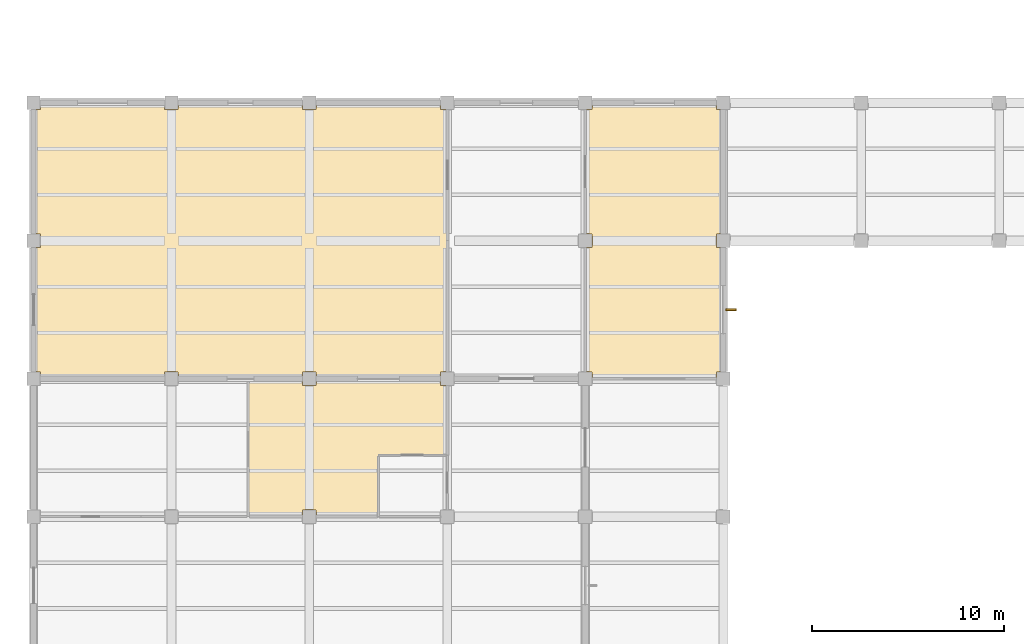
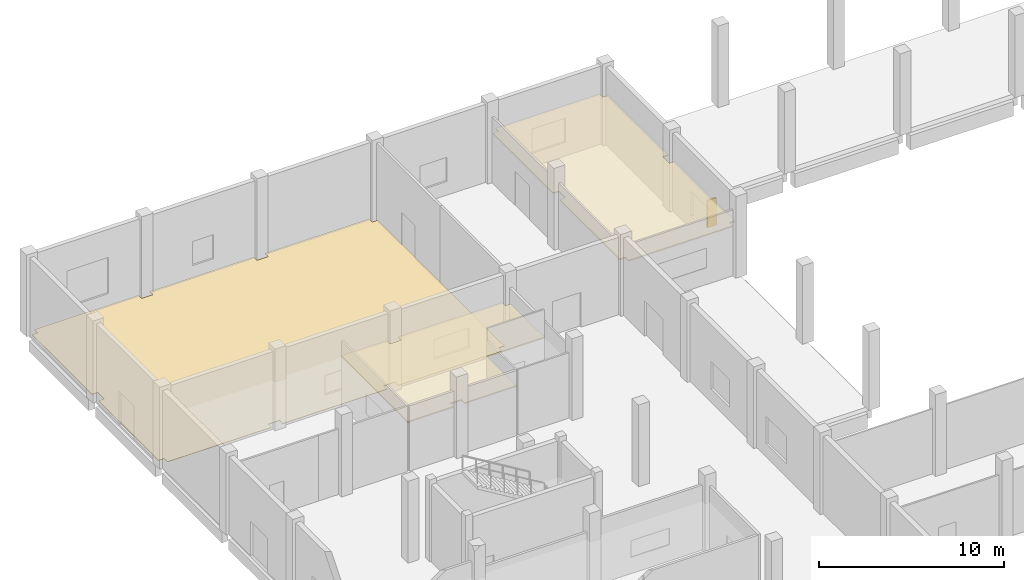
# One storey, part 35 of 46: 3 coverings, 1 shading device.
"""IFC4 building model written with IfcOpenShell, lengths in metres."""

import ifcopenshell
import ifcopenshell.guid

model = None  # the IFC model being written
_history = None  # IfcOwnerHistory: only IFC2X3 demands one
_inside = {}  # id of a spatial element -> (the spatial element, [elements in it])
_under = {}  # id of a project, library or spatial element -> (it, [spatial elements below it])
_declared = {}  # id of a project -> (the project, [libraries it declares])
_typed = {}  # id of a type object -> (the type object, [elements of that type])
_made_of = {}  # id of a material, layer set ... -> (it, [elements and type objects made of it])


def new_model(schema):
    """Start an empty IFC model of exactly this schema.

    Asked for "IFC4X3", IfcOpenShell would pick the latest addendum, in which some entities
    have other attributes; the version numbers below select the first issue.
    IFC2X3 requires an IfcOwnerHistory on every rooted entity: one is made here for all.
    """
    global model, _history
    if schema == "IFC4X3":
        model = ifcopenshell.file(schema_version=(4, 3, 0, 0))
    else:
        model = ifcopenshell.file(schema=schema)
    _inside.clear()
    _under.clear()
    _declared.clear()
    _typed.clear()
    _made_of.clear()
    _history = None
    if model.schema == "IFC2X3":
        org = make("IfcOrganization", Name="unknown")
        user = make(
            "IfcPersonAndOrganization",
            ThePerson=make("IfcPerson", FamilyName="unknown"),
            TheOrganization=org,
        )
        app = make(
            "IfcApplication",
            ApplicationDeveloper=org,
            Version="unknown",
            ApplicationFullName="unknown",
            ApplicationIdentifier="unknown",
        )
        _history = make(
            "IfcOwnerHistory",
            OwningUser=user,
            OwningApplication=app,
            ChangeAction="ADDED",
            CreationDate=0,
        )
    return model


def make(cls, **values):
    """One entity of the class cls with the attributes given. An attribute that is None is left unset."""
    return model.create_entity(
        cls, **{name: value for name, value in values.items() if value is not None}
    )


def rooted(cls, **values):
    """An entity with a GlobalId (a new one), such as an element, a storey or a relation."""
    return make(cls, GlobalId=ifcopenshell.guid.new(), OwnerHistory=_history, **values)


def si_unit(unit_type, name, prefix=None):
    """IfcSIUnit, for example si_unit("LENGTHUNIT", "METRE", prefix="MILLI")."""
    return make("IfcSIUnit", UnitType=unit_type, Prefix=prefix, Name=name)


def assignment(units):
    """IfcUnitAssignment: the units of a project."""
    return None if units is None else make("IfcUnitAssignment", Units=units)


def point(xyz):
    """IfcCartesianPoint."""
    return None if xyz is None else make("IfcCartesianPoint", Coordinates=xyz)


def direction(xyz):
    """IfcDirection."""
    return None if xyz is None else make("IfcDirection", DirectionRatios=xyz)


def frame(location, z_axis=None, x_axis=None):
    """IfcAxis2Placement3D, a coordinate frame: its origin and axes. An axis left out is left unset."""
    return make(
        "IfcAxis2Placement3D",
        Location=point(location),
        Axis=direction(z_axis),
        RefDirection=direction(x_axis),
    )


def frame_2d(location, x_axis=None):
    """IfcAxis2Placement2D, a coordinate frame in the plane: its origin and x axis."""
    return make(
        "IfcAxis2Placement2D", Location=point(location), RefDirection=direction(x_axis)
    )


def origin():
    """The frame at (0, 0, 0) with its axes left unset."""
    return frame((0.0, 0.0, 0.0))


def origin_2d():
    """The frame at (0, 0) in the plane with its x axis left unset."""
    return frame_2d((0.0, 0.0))


def place(relative_to, where):
    """IfcLocalPlacement: puts the frame where relative to a parent placement (None: the world)."""
    return make(
        "IfcLocalPlacement", PlacementRelTo=relative_to, RelativePlacement=where
    )


def context(
    kind, dimensions, precision=None, world=None, true_north=None, identifier=None
):
    """IfcGeometricRepresentationContext, for example the 3D "Model" context."""
    return make(
        "IfcGeometricRepresentationContext",
        ContextIdentifier=identifier,
        ContextType=kind,
        CoordinateSpaceDimension=dimensions,
        Precision=precision,
        WorldCoordinateSystem=world,
        TrueNorth=true_north,
    )


def subcontext(parent, identifier, kind, view, scale=None):
    """IfcGeometricRepresentationSubContext, for example "Body" below "Model"."""
    return make(
        "IfcGeometricRepresentationSubContext",
        ContextIdentifier=identifier,
        ContextType=kind,
        ParentContext=parent,
        TargetScale=scale,
        TargetView=view,
    )


def project(units=None, contexts=None):
    """IfcProject with its units and contexts."""
    return rooted(
        "IfcProject",
        Name="project",
        RepresentationContexts=contexts,
        UnitsInContext=assignment(units),
    )


def spatial(cls, under=None, at=None, **own):
    """A site, building, storey or space (cls), placed at a placement, below another one or the project."""
    s = rooted(cls, ObjectPlacement=at, **own)
    if under is not None:
        _under.setdefault(under.id(), (under, []))[1].append(s)
    return s


def polyline(points):
    """IfcPolyline through the points."""
    return make("IfcPolyline", Points=[point(p) for p in points])


def profile(cls, at=None, kind="AREA", **sizes):
    """A parametric profile (cls). Its sizes go by their IFC names, for example OverallWidth=200.0."""
    return make(cls, ProfileType=kind, Position=at, **sizes)


def rectangle(**sizes):
    """IfcRectangleProfileDef."""
    return profile("IfcRectangleProfileDef", **sizes)


def outline(outer, holes=None, kind="AREA"):
    """IfcArbitraryClosedProfileDef: a profile drawn as a closed curve; with holes, ...WithVoids."""
    if holes is None:
        return make("IfcArbitraryClosedProfileDef", ProfileType=kind, OuterCurve=outer)
    return make(
        "IfcArbitraryProfileDefWithVoids",
        ProfileType=kind,
        OuterCurve=outer,
        InnerCurves=holes,
    )


def extrude(swept, where, along, depth):
    """IfcExtrudedAreaSolid: the profile swept, set in the frame where, extruded along a direction by depth."""
    return make(
        "IfcExtrudedAreaSolid",
        SweptArea=swept,
        Position=where,
        ExtrudedDirection=direction(along),
        Depth=depth,
    )


def shape(context_of_items, identifier, shape_type, items):
    """IfcShapeRepresentation: the items that make up one representation, for example the "Body"."""
    return make(
        "IfcShapeRepresentation",
        ContextOfItems=context_of_items,
        RepresentationIdentifier=identifier,
        RepresentationType=shape_type,
        Items=items,
    )


def material(Name=None, Category=None):
    """IfcMaterial."""
    return make("IfcMaterial", Name=Name, Category=Category)


def layer(
    of_material, thickness, ventilated=None, Name=None, Category=None, Priority=None
):
    """IfcMaterialLayer: one layer of a wall or slab, of a material (None: an air gap)."""
    return make(
        "IfcMaterialLayer",
        Material=of_material,
        LayerThickness=thickness,
        IsVentilated=ventilated,
        Name=Name,
        Category=Category,
        Priority=Priority,
    )


def layer_set(layers, Name=None):
    """IfcMaterialLayerSet."""
    return make("IfcMaterialLayerSet", MaterialLayers=layers, LayerSetName=Name)


def made_of(thing, what):
    """Note that an element or type object is made of a material, layer set ...; save() writes the relation."""
    if what is not None:
        _made_of.setdefault(what.id(), (what, []))[1].append(thing)
    return thing


def type_object(cls, material=None, **own):
    """A type object (cls), such as IfcWallType, which elements share."""
    return made_of(rooted(cls, **own), material)


def element(
    cls,
    number,
    at=None,
    inside=None,
    cuts=None,
    type_object=None,
    material=None,
    context=None,
    identifier="Body",
    shape_type=None,
    held_by="IfcProductDefinitionShape",
    body=None,
    shapes=None,
    **own,
):
    """One element of the class cls, such as IfcWall. Its Tag is "e" and its number.

    at: its placement. inside: the storey or other place that contains it. cuts: it is an
    opening in that element (IfcRelVoidsElement). A single representation is given by context,
    identifier, shape_type and body (its items); several are given by shapes. held_by: the class
    of the entity that holds the representations. save() writes the other relations.
    """
    e = rooted(cls, Tag="e%d" % number, ObjectPlacement=at, **own)
    if body is not None:
        shapes = [shape(context, identifier, shape_type, body)]
    if shapes is not None:
        e.Representation = make(held_by, Representations=shapes)
    if inside is not None:
        _inside.setdefault(inside.id(), (inside, []))[1].append(e)
    if cuts is not None:
        rooted(
            "IfcRelVoidsElement", RelatingBuildingElement=cuts, RelatedOpeningElement=e
        )
    if type_object is not None:
        _typed.setdefault(type_object.id(), (type_object, []))[1].append(e)
    return made_of(e, material)


def aggregate(whole, parts):
    """IfcRelAggregates: a whole, such as a stair, and the parts it consists of."""
    return rooted("IfcRelAggregates", RelatingObject=whole, RelatedObjects=parts)


def save(model, path):
    """Write the relations noted so far, then the file.

    IfcRelAggregates (storeys below a building ...), IfcRelContainedInSpatialStructure (elements
    in a storey), IfcRelDefinesByType, IfcRelAssociatesMaterial and IfcRelDeclares: one each for
    every whole, place, type object, material and project.
    """
    for whole, parts in _under.values():
        aggregate(whole, parts)
    for where, things in _inside.values():
        rooted(
            "IfcRelContainedInSpatialStructure",
            RelatedElements=things,
            RelatingStructure=where,
        )
    for kind, things in _typed.values():
        rooted("IfcRelDefinesByType", RelatedObjects=things, RelatingType=kind)
    for what, things in _made_of.values():
        rooted("IfcRelAssociatesMaterial", RelatedObjects=things, RelatingMaterial=what)
    for by, libraries in _declared.values():
        rooted("IfcRelDeclares", RelatingContext=by, RelatedDefinitions=libraries)
    model.write(path)


model = new_model("IFC4")

# Units and contexts
model_context = context("Model", 3, precision=1e-05, world=origin(), true_north=direction((0.0, 1.0)))
body_context = subcontext(model_context, "Body", "Model", "MODEL_VIEW")
ifc_project = project(units=[si_unit("LENGTHUNIT", "METRE"), si_unit("AREAUNIT", "SQUARE_METRE"), si_unit("VOLUMEUNIT", "CUBIC_METRE"), si_unit("PLANEANGLEUNIT", "RADIAN"), si_unit("MASSUNIT", "GRAM", prefix="KILO"), si_unit("THERMODYNAMICTEMPERATUREUNIT", "KELVIN"), si_unit("POWERUNIT", "WATT")], contexts=[model_context])

# Site, building, storey
site_placement = place(None, origin())
site = spatial("IfcSite", under=ifc_project, at=site_placement, CompositionType="ELEMENT")
building_placement = place(site_placement, origin())
building = spatial("IfcBuilding", under=site, at=building_placement, Name="Kaldorven Railside Theatre", CompositionType="ELEMENT")
storey_placement = place(building_placement, origin())
storey = spatial("IfcBuildingStorey", under=building, at=storey_placement, Name="L00", CompositionType="ELEMENT", Elevation=0.0)

# Coverings
ifc_material_1 = material(Name="Acoustic hardwood timber", Category="wood")
ifc_layer_1 = layer(ifc_material_1, 0.080078125, Name="Acoustic hardwood timber")
ifc_layer_set_1 = layer_set([ifc_layer_1], Name="Acoustic hardwood timber")
covering_type_1 = type_object("IfcCoveringType", Name="COV-CLG-02", PredefinedType="CEILING", material=ifc_layer_set_1)
covering_1_placement = place(storey_placement, frame((0.0, 0.0, 3.169921875)))
element("IfcCovering", 1, at=covering_1_placement, inside=storey, type_object=covering_type_1, Name="Studio Cleaner's and Linen Store Acoustic Ceiling 005", PredefinedType="CEILING", context=body_context, shape_type="SweptSolid", body=[
    extrude(outline(polyline([(22.751953125, 55.199951171875), (22.751953125, 55.552001953125), (22.048095703125, 55.552001953125), (22.048095703125, 55.199951171875), (19.199951171875, 55.199951171875), (19.199951171875, 62.39990234375), (22.048095703125, 62.39990234375), (22.048095703125, 62.048095703125), (22.751953125, 62.048095703125), (22.751953125, 62.39990234375), (26.0, 62.39990234375), (29.248046875, 62.39990234375), (29.248046875, 62.048095703125), (29.60009765625, 62.048095703125), (29.60009765625, 58.39990234375), (26.0, 58.39990234375), (26.0, 55.199951171875), (22.751953125, 55.199951171875)])), origin(), (0.0, 0.0, 1.0), 0.080078125),
])
covering_2_placement = place(storey_placement, frame((0.0, 0.0, 3.169921875)))
element("IfcCovering", 2, at=covering_2_placement, inside=storey, type_object=covering_type_1, Name="Youth Drama Studio Acoustic Ceiling 006", PredefinedType="CEILING", context=body_context, shape_type="SweptSolid", body=[
    extrude(outline(polyline([(44.0, 62.751953125), (43.64794921875, 62.751953125), (43.64794921875, 62.39990234375), (37.152099609375, 62.39990234375), (37.152099609375, 62.751953125), (36.800048828125, 62.751953125), (36.800048828125, 69.248046875), (37.152099609375, 69.248046875), (37.152099609375, 69.951904296875), (36.800048828125, 69.951904296875), (36.800048828125, 76.447998046875), (37.152099609375, 76.447998046875), (37.152099609375, 76.800048828125), (43.64794921875, 76.800048828125), (43.64794921875, 76.447998046875), (44.0, 76.447998046875), (44.0, 69.951904296875), (43.64794921875, 69.951904296875), (43.64794921875, 69.248046875), (44.0, 69.248046875), (44.0, 62.751953125)])), origin(), (0.0, 0.0, 1.0), 0.080078125),
])
ifc_layer_2 = layer(ifc_material_1, 0.030029296875, Name="Acoustic hardwood timber")
ifc_layer_set_2 = layer_set([ifc_layer_2], Name="Acoustic hardwood timber")
covering_type_2 = type_object("IfcCoveringType", Name="COV-FLR-01", PredefinedType="FLOORING", material=ifc_layer_set_2)
covering_3_placement = place(storey_placement, origin())
element("IfcCovering", 3, at=covering_3_placement, inside=storey, type_object=covering_type_2, Name="Black-Box Theatre Finish Flooring FLR-002", PredefinedType="FLOORING", context=body_context, shape_type="SweptSolid", body=[
    extrude(outline(polyline([(29.60009765625, 62.751953125), (29.248046875, 62.751953125), (29.248046875, 62.39990234375), (22.751953125, 62.39990234375), (22.751953125, 62.751953125), (22.048095703125, 62.751953125), (22.048095703125, 62.39990234375), (15.552001953125, 62.39990234375), (15.552001953125, 62.751953125), (14.847900390625, 62.751953125), (14.847900390625, 62.39990234375), (8.35205078125, 62.39990234375), (8.35205078125, 62.751953125), (8.0, 62.751953125), (8.0, 69.248046875), (8.35205078125, 69.248046875), (8.35205078125, 69.951904296875), (8.0, 69.951904296875), (8.0, 76.447998046875), (8.35205078125, 76.447998046875), (8.35205078125, 76.800048828125), (14.847900390625, 76.800048828125), (14.847900390625, 76.447998046875), (15.552001953125, 76.447998046875), (15.552001953125, 76.800048828125), (22.048095703125, 76.800048828125), (22.048095703125, 76.447998046875), (22.751953125, 76.447998046875), (22.751953125, 76.800048828125), (29.248046875, 76.800048828125), (29.248046875, 76.447998046875), (29.60009765625, 76.447998046875), (29.60009765625, 62.751953125)])), origin(), (0.0, 0.0, 1.0), 0.030029296875),
])

# Shading device
ifc_material_2 = material(Name="Anodised bronze aluminium", Category="aluminium")
shading_device_type = type_object("IfcShadingDeviceType", Name="SHD-FIN-02", PredefinedType="USERDEFINED", material=ifc_material_2)
shading_device_placement = place(storey_placement, frame((44.410888671875, 66.0, 0.7998046875), z_axis=(0.0, 0.0, 1.0), x_axis=(0.0, -1.0, 0.0)))
element("IfcShadingDevice", 4, at=shading_device_placement, inside=storey, type_object=shading_device_type, Name="Anodised-Bronze Brise-Soleil Fin FIN-018", ObjectType="SUNSHADE", PredefinedType="USERDEFINED", context=body_context, shape_type="SweptSolid", body=[
    extrude(rectangle(XDim=0.10009765625, YDim=0.550048828125, at=origin_2d()), origin(), (0.0, 0.0, 1.0), 1.800048828125),
])

save(model, "model.ifc")
